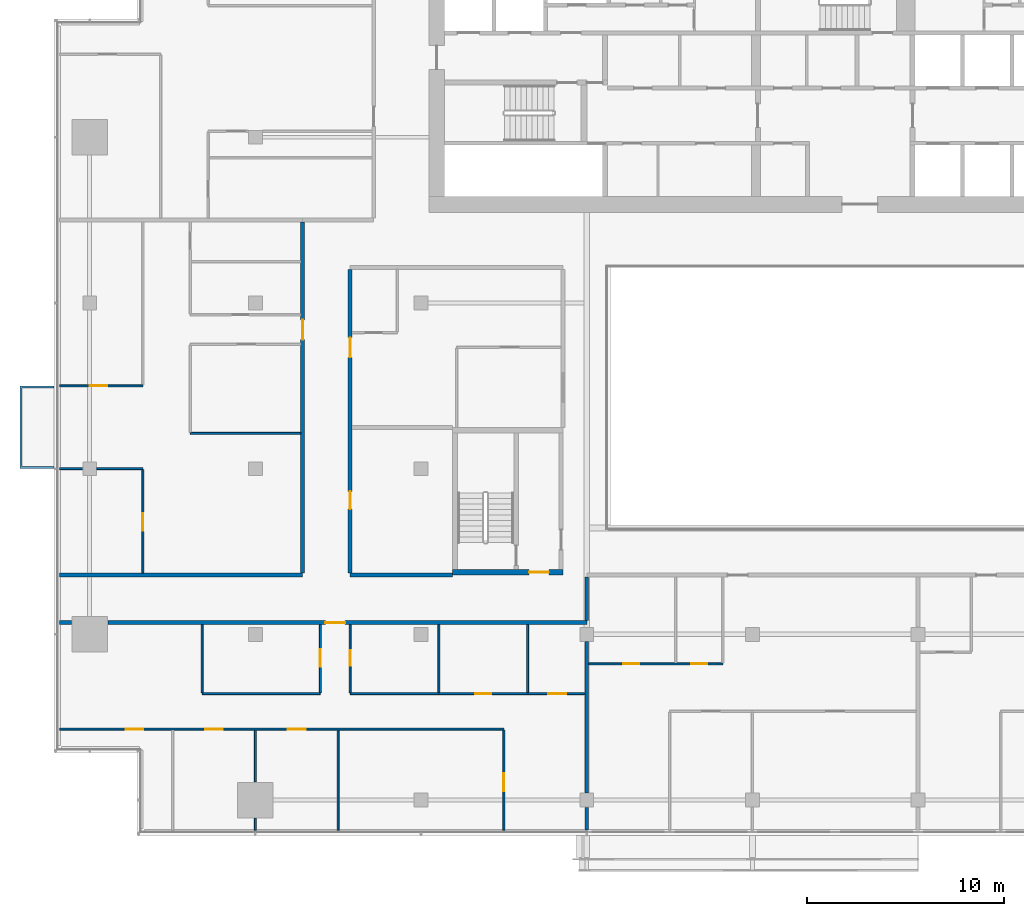
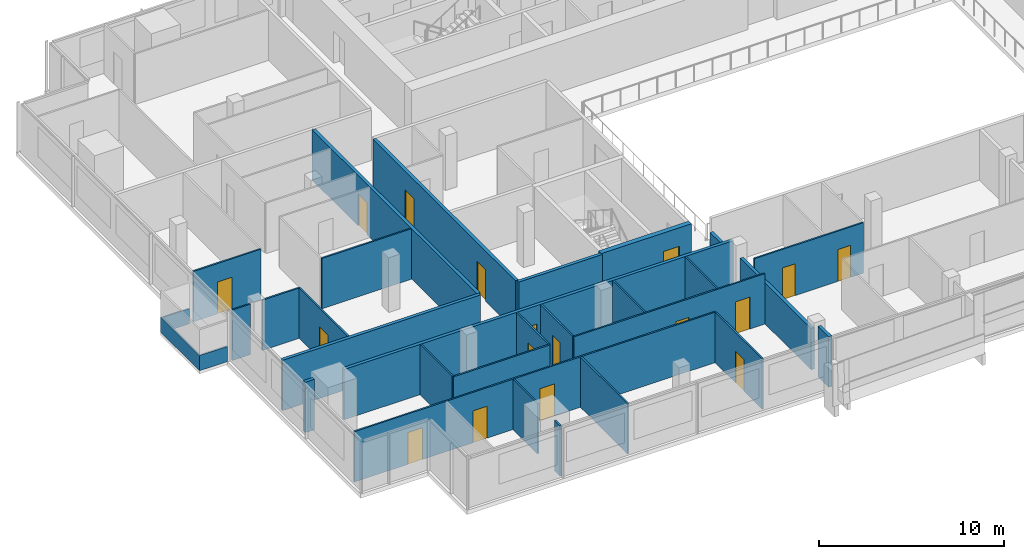
# One storey, part 17 of 27: 29 walls, 17 doors, 17 openings.
"""IFC4 building model written with IfcOpenShell, lengths in metres."""

import ifcopenshell
import ifcopenshell.guid

model = None  # the IFC model being written
_history = None  # IfcOwnerHistory: only IFC2X3 demands one
_inside = {}  # id of a spatial element -> (the spatial element, [elements in it])
_under = {}  # id of a project, library or spatial element -> (it, [spatial elements below it])
_declared = {}  # id of a project -> (the project, [libraries it declares])
_typed = {}  # id of a type object -> (the type object, [elements of that type])
_made_of = {}  # id of a material, layer set ... -> (it, [elements and type objects made of it])


def new_model(schema):
    """Start an empty IFC model of exactly this schema.

    Asked for "IFC4X3", IfcOpenShell would pick the latest addendum, in which some entities
    have other attributes; the version numbers below select the first issue.
    IFC2X3 requires an IfcOwnerHistory on every rooted entity: one is made here for all.
    """
    global model, _history
    if schema == "IFC4X3":
        model = ifcopenshell.file(schema_version=(4, 3, 0, 0))
    else:
        model = ifcopenshell.file(schema=schema)
    _inside.clear()
    _under.clear()
    _declared.clear()
    _typed.clear()
    _made_of.clear()
    _history = None
    if model.schema == "IFC2X3":
        org = make("IfcOrganization", Name="unknown")
        user = make(
            "IfcPersonAndOrganization",
            ThePerson=make("IfcPerson", FamilyName="unknown"),
            TheOrganization=org,
        )
        app = make(
            "IfcApplication",
            ApplicationDeveloper=org,
            Version="unknown",
            ApplicationFullName="unknown",
            ApplicationIdentifier="unknown",
        )
        _history = make(
            "IfcOwnerHistory",
            OwningUser=user,
            OwningApplication=app,
            ChangeAction="ADDED",
            CreationDate=0,
        )
    return model


def make(cls, **values):
    """One entity of the class cls with the attributes given. An attribute that is None is left unset."""
    return model.create_entity(
        cls, **{name: value for name, value in values.items() if value is not None}
    )


def rooted(cls, **values):
    """An entity with a GlobalId (a new one), such as an element, a storey or a relation."""
    return make(cls, GlobalId=ifcopenshell.guid.new(), OwnerHistory=_history, **values)


def si_unit(unit_type, name, prefix=None):
    """IfcSIUnit, for example si_unit("LENGTHUNIT", "METRE", prefix="MILLI")."""
    return make("IfcSIUnit", UnitType=unit_type, Prefix=prefix, Name=name)


def assignment(units):
    """IfcUnitAssignment: the units of a project."""
    return None if units is None else make("IfcUnitAssignment", Units=units)


def point(xyz):
    """IfcCartesianPoint."""
    return None if xyz is None else make("IfcCartesianPoint", Coordinates=xyz)


def direction(xyz):
    """IfcDirection."""
    return None if xyz is None else make("IfcDirection", DirectionRatios=xyz)


def frame(location, z_axis=None, x_axis=None):
    """IfcAxis2Placement3D, a coordinate frame: its origin and axes. An axis left out is left unset."""
    return make(
        "IfcAxis2Placement3D",
        Location=point(location),
        Axis=direction(z_axis),
        RefDirection=direction(x_axis),
    )


def frame_2d(location, x_axis=None):
    """IfcAxis2Placement2D, a coordinate frame in the plane: its origin and x axis."""
    return make(
        "IfcAxis2Placement2D", Location=point(location), RefDirection=direction(x_axis)
    )


def origin():
    """The frame at (0, 0, 0) with its axes left unset."""
    return frame((0.0, 0.0, 0.0))


def place(relative_to, where):
    """IfcLocalPlacement: puts the frame where relative to a parent placement (None: the world)."""
    return make(
        "IfcLocalPlacement", PlacementRelTo=relative_to, RelativePlacement=where
    )


def context(
    kind, dimensions, precision=None, world=None, true_north=None, identifier=None
):
    """IfcGeometricRepresentationContext, for example the 3D "Model" context."""
    return make(
        "IfcGeometricRepresentationContext",
        ContextIdentifier=identifier,
        ContextType=kind,
        CoordinateSpaceDimension=dimensions,
        Precision=precision,
        WorldCoordinateSystem=world,
        TrueNorth=true_north,
    )


def subcontext(parent, identifier, kind, view, scale=None):
    """IfcGeometricRepresentationSubContext, for example "Body" below "Model"."""
    return make(
        "IfcGeometricRepresentationSubContext",
        ContextIdentifier=identifier,
        ContextType=kind,
        ParentContext=parent,
        TargetScale=scale,
        TargetView=view,
    )


def project(units=None, contexts=None):
    """IfcProject with its units and contexts."""
    return rooted(
        "IfcProject",
        Name="project",
        RepresentationContexts=contexts,
        UnitsInContext=assignment(units),
    )


def spatial(cls, under=None, at=None, **own):
    """A site, building, storey or space (cls), placed at a placement, below another one or the project."""
    s = rooted(cls, ObjectPlacement=at, **own)
    if under is not None:
        _under.setdefault(under.id(), (under, []))[1].append(s)
    return s


def polyline(points):
    """IfcPolyline through the points."""
    return make("IfcPolyline", Points=[point(p) for p in points])


def profile(cls, at=None, kind="AREA", **sizes):
    """A parametric profile (cls). Its sizes go by their IFC names, for example OverallWidth=200.0."""
    return make(cls, ProfileType=kind, Position=at, **sizes)


def rectangle(**sizes):
    """IfcRectangleProfileDef."""
    return profile("IfcRectangleProfileDef", **sizes)


def outline(outer, holes=None, kind="AREA"):
    """IfcArbitraryClosedProfileDef: a profile drawn as a closed curve; with holes, ...WithVoids."""
    if holes is None:
        return make("IfcArbitraryClosedProfileDef", ProfileType=kind, OuterCurve=outer)
    return make(
        "IfcArbitraryProfileDefWithVoids",
        ProfileType=kind,
        OuterCurve=outer,
        InnerCurves=holes,
    )


def extrude(swept, where, along, depth):
    """IfcExtrudedAreaSolid: the profile swept, set in the frame where, extruded along a direction by depth."""
    return make(
        "IfcExtrudedAreaSolid",
        SweptArea=swept,
        Position=where,
        ExtrudedDirection=direction(along),
        Depth=depth,
    )


def shape(context_of_items, identifier, shape_type, items):
    """IfcShapeRepresentation: the items that make up one representation, for example the "Body"."""
    return make(
        "IfcShapeRepresentation",
        ContextOfItems=context_of_items,
        RepresentationIdentifier=identifier,
        RepresentationType=shape_type,
        Items=items,
    )


def material(Name=None, Category=None):
    """IfcMaterial."""
    return make("IfcMaterial", Name=Name, Category=Category)


def layer(
    of_material, thickness, ventilated=None, Name=None, Category=None, Priority=None
):
    """IfcMaterialLayer: one layer of a wall or slab, of a material (None: an air gap)."""
    return make(
        "IfcMaterialLayer",
        Material=of_material,
        LayerThickness=thickness,
        IsVentilated=ventilated,
        Name=Name,
        Category=Category,
        Priority=Priority,
    )


def layer_set(layers, Name=None):
    """IfcMaterialLayerSet."""
    return make("IfcMaterialLayerSet", MaterialLayers=layers, LayerSetName=Name)


def made_of(thing, what):
    """Note that an element or type object is made of a material, layer set ...; save() writes the relation."""
    if what is not None:
        _made_of.setdefault(what.id(), (what, []))[1].append(thing)
    return thing


def type_object(cls, material=None, **own):
    """A type object (cls), such as IfcWallType, which elements share."""
    return made_of(rooted(cls, **own), material)


def element(
    cls,
    number,
    at=None,
    inside=None,
    cuts=None,
    type_object=None,
    material=None,
    context=None,
    identifier="Body",
    shape_type=None,
    held_by="IfcProductDefinitionShape",
    body=None,
    shapes=None,
    **own,
):
    """One element of the class cls, such as IfcWall. Its Tag is "e" and its number.

    at: its placement. inside: the storey or other place that contains it. cuts: it is an
    opening in that element (IfcRelVoidsElement). A single representation is given by context,
    identifier, shape_type and body (its items); several are given by shapes. held_by: the class
    of the entity that holds the representations. save() writes the other relations.
    """
    e = rooted(cls, Tag="e%d" % number, ObjectPlacement=at, **own)
    if body is not None:
        shapes = [shape(context, identifier, shape_type, body)]
    if shapes is not None:
        e.Representation = make(held_by, Representations=shapes)
    if inside is not None:
        _inside.setdefault(inside.id(), (inside, []))[1].append(e)
    if cuts is not None:
        rooted(
            "IfcRelVoidsElement", RelatingBuildingElement=cuts, RelatedOpeningElement=e
        )
    if type_object is not None:
        _typed.setdefault(type_object.id(), (type_object, []))[1].append(e)
    return made_of(e, material)


def fill(opening, filler):
    """IfcRelFillsElement: the door or window that sits in an opening."""
    return rooted(
        "IfcRelFillsElement",
        RelatingOpeningElement=opening,
        RelatedBuildingElement=filler,
    )


def aggregate(whole, parts):
    """IfcRelAggregates: a whole, such as a stair, and the parts it consists of."""
    return rooted("IfcRelAggregates", RelatingObject=whole, RelatedObjects=parts)


def save(model, path):
    """Write the relations noted so far, then the file.

    IfcRelAggregates (storeys below a building ...), IfcRelContainedInSpatialStructure (elements
    in a storey), IfcRelDefinesByType, IfcRelAssociatesMaterial and IfcRelDeclares: one each for
    every whole, place, type object, material and project.
    """
    for whole, parts in _under.values():
        aggregate(whole, parts)
    for where, things in _inside.values():
        rooted(
            "IfcRelContainedInSpatialStructure",
            RelatedElements=things,
            RelatingStructure=where,
        )
    for kind, things in _typed.values():
        rooted("IfcRelDefinesByType", RelatedObjects=things, RelatingType=kind)
    for what, things in _made_of.values():
        rooted("IfcRelAssociatesMaterial", RelatedObjects=things, RelatingMaterial=what)
    for by, libraries in _declared.values():
        rooted("IfcRelDeclares", RelatingContext=by, RelatedDefinitions=libraries)
    model.write(path)


model = new_model("IFC4")

# Units and contexts
model_context = context("Model", 3, precision=1e-05, world=origin(), true_north=direction((0.0, 1.0)))
body_context = subcontext(model_context, "Body", "Model", "MODEL_VIEW")
ifc_project = project(units=[si_unit("LENGTHUNIT", "METRE"), si_unit("AREAUNIT", "SQUARE_METRE"), si_unit("VOLUMEUNIT", "CUBIC_METRE"), si_unit("PLANEANGLEUNIT", "RADIAN"), si_unit("MASSUNIT", "GRAM", prefix="KILO")], contexts=[model_context])

# Site, building, storey
site_placement = place(None, origin())
site = spatial("IfcSite", under=ifc_project, at=site_placement, CompositionType="ELEMENT")
building_placement = place(site_placement, origin())
building = spatial("IfcBuilding", under=site, at=building_placement, Name="Saffron Gate Tower", CompositionType="ELEMENT")
storey_placement = place(building_placement, frame((0.0, 0.0, 172.64990234375)))
storey = spatial("IfcBuildingStorey", under=building, at=storey_placement, Name="L42", CompositionType="ELEMENT", Elevation=172.64990234375)

# Wall, opening, door
ifc_material_1 = material(Name="Concrete C60", Category="concrete")
ifc_layer_1 = layer(ifc_material_1, 0.300048828125)
ifc_layer_set_1 = layer_set([ifc_layer_1], Name="CW17 RC core wall 300 C60")
wall_type_1 = type_object("IfcWallType", Name="CW17 RC core wall 300 C60", PredefinedType="SOLIDWALL", material=ifc_layer_set_1)
wall_1_placement = place(storey_placement, frame((68.199951171875, 43.35009765625, 0.0), z_axis=(0.0, 0.0, 1.0), x_axis=(1.0, 0.0, 0.0)))
wall_1 = element("IfcWall", 1, at=wall_1_placement, inside=storey, type_object=wall_type_1, Name="Wall CW17-L42-D-1", PredefinedType="SOLIDWALL", context=body_context, shape_type="SweptSolid", body=[
    extrude(rectangle(XDim=5.60009765625, YDim=0.300048828125, at=frame_2d((2.800048828125, 0.0))), origin(), (0.0, 0.0, 1.0), 3.320068359375),
])
opening_1_placement = place(wall_1_placement, frame((3.875, 0.0, 0.0)))
opening_1 = element("IfcOpeningElement", 2, at=opening_1_placement, cuts=wall_1, Name="Opening CR-18", PredefinedType="OPENING", context=body_context, shape_type="SweptSolid", body=[
    extrude(rectangle(XDim=1.0, YDim=2.10009765625, at=frame_2d((0.5, 1.050048828125))), frame((0.0, 0.16015625, 0.0), z_axis=(0.0, -1.0, 0.0), x_axis=(1.0, 0.0, 0.0)), (0.0, 0.0, 1.0), 0.320068359375),
])
ifc_material_2 = material(Name="Steel fire door set", Category="steel")
door_type_1 = type_object("IfcDoorType", Name="CD4 Lobby door 1000x2100 EI 120", OperationType="NOTDEFINED", PredefinedType="DOOR", material=ifc_material_2)
door_1_placement = place(opening_1_placement, origin())
door_1 = element("IfcDoor", 3, at=door_1_placement, inside=storey, type_object=door_type_1, Name="DOOR CR-18", OperationType="SINGLE_SWING_RIGHT", OverallHeight=2.10009765625, OverallWidth=1.0, PredefinedType="DOOR", context=body_context, shape_type="SweptSolid", body=[
    extrude(rectangle(XDim=1.0, YDim=2.10009765625, at=frame_2d((0.5, 1.050048828125))), frame((0.0, 0.02490234375, 0.0), z_axis=(0.0, -1.0, 0.0), x_axis=(1.0, 0.0, 0.0)), (0.0, 0.0, 1.0), 0.050048828125),
])
fill(opening_1, door_1)

# Wall, openings, doors
ifc_material_3 = material(Name="Plasterboard on steel studs", Category="steel")
ifc_layer_2 = layer(ifc_material_3, 0.10009765625)
ifc_layer_set_2 = layer_set([ifc_layer_2], Name="PW1 Partition 100")
wall_type_2 = type_object("IfcWallType", Name="PW1 Partition 100", PredefinedType="PARTITIONING", material=ifc_layer_set_2)
wall_2_placement = place(storey_placement, frame((70.800048828125, 35.39990234375, 0.0), z_axis=(0.0, 0.0, 1.0), x_axis=(-1.0, 0.0, 0.0)))
wall_2 = element("IfcWall", 4, at=wall_2_placement, inside=storey, type_object=wall_type_2, Name="Partition C3-2", PredefinedType="PARTITIONING", context=body_context, shape_type="SweptSolid", body=[
    extrude(rectangle(XDim=22.52001953125, YDim=0.10009765625, at=frame_2d((11.260009765625, 0.0))), origin(), (0.0, 0.0, 1.0), 3.320068359375),
])
opening_2_placement = place(wall_2_placement, frame((10.050048828125, 0.0, 0.0)))
opening_2 = element("IfcOpeningElement", 5, at=opening_2_placement, cuts=wall_2, Name="Opening C3-13", PredefinedType="OPENING", context=body_context, shape_type="SweptSolid", body=[
    extrude(rectangle(XDim=0.89990234375, YDim=2.10009765625, at=frame_2d((0.449951171875, 1.050048828125))), frame((0.0, 0.06005859375, 0.0), z_axis=(0.0, -1.0, 0.0), x_axis=(1.0, 0.0, 0.0)), (0.0, 0.0, 1.0), 0.1201171875),
])
opening_3_placement = place(wall_2_placement, frame((14.25, 0.0, 0.0)))
opening_3 = element("IfcOpeningElement", 6, at=opening_3_placement, cuts=wall_2, Name="Opening C3-12", PredefinedType="OPENING", context=body_context, shape_type="SweptSolid", body=[
    extrude(rectangle(XDim=0.89990234375, YDim=2.10009765625, at=frame_2d((0.449951171875, 1.050048828125))), frame((0.0, 0.06005859375, 0.0), z_axis=(0.0, -1.0, 0.0), x_axis=(1.0, 0.0, 0.0)), (0.0, 0.0, 1.0), 0.1201171875),
])
opening_4_placement = place(wall_2_placement, frame((18.2744140625, 0.0, 0.0)))
opening_4 = element("IfcOpeningElement", 7, at=opening_4_placement, cuts=wall_2, Name="Opening C3-11", PredefinedType="OPENING", context=body_context, shape_type="SweptSolid", body=[
    extrude(rectangle(XDim=0.89990234375, YDim=2.10009765625, at=frame_2d((0.449951171875, 1.050048828125))), frame((0.0, 0.06005859375, 0.0), z_axis=(0.0, -1.0, 0.0), x_axis=(1.0, 0.0, 0.0)), (0.0, 0.0, 1.0), 0.1201171875),
])
ifc_material_4 = material(Name="Timber door set", Category="wood")
door_type_2 = type_object("IfcDoorType", Name="RD1 Room door 900x2100", OperationType="NOTDEFINED", PredefinedType="DOOR", material=ifc_material_4)
door_2_placement = place(opening_2_placement, origin())
door_2 = element("IfcDoor", 8, at=door_2_placement, inside=storey, type_object=door_type_2, Name="Door C3-13", OperationType="SINGLE_SWING_RIGHT", OverallHeight=2.10009765625, OverallWidth=0.89990234375, PredefinedType="DOOR", context=body_context, shape_type="SweptSolid", body=[
    extrude(rectangle(XDim=0.89990234375, YDim=2.10009765625, at=frame_2d((0.449951171875, 1.050048828125))), frame((0.0, 0.02490234375, 0.0), z_axis=(0.0, -1.0, 0.0), x_axis=(1.0, 0.0, 0.0)), (0.0, 0.0, 1.0), 0.050048828125),
])
fill(opening_2, door_2)
door_3_placement = place(opening_3_placement, origin())
door_3 = element("IfcDoor", 9, at=door_3_placement, inside=storey, type_object=door_type_2, Name="Door C3-12", OperationType="SINGLE_SWING_RIGHT", OverallHeight=2.10009765625, OverallWidth=0.89990234375, PredefinedType="DOOR", context=body_context, shape_type="SweptSolid", body=[
    extrude(rectangle(XDim=0.89990234375, YDim=2.10009765625, at=frame_2d((0.449951171875, 1.050048828125))), frame((0.0, 0.02490234375, 0.0), z_axis=(0.0, -1.0, 0.0), x_axis=(1.0, 0.0, 0.0)), (0.0, 0.0, 1.0), 0.050048828125),
])
fill(opening_3, door_3)
door_4_placement = place(opening_4_placement, origin())
door_4 = element("IfcDoor", 10, at=door_4_placement, inside=storey, type_object=door_type_2, Name="Door C3-11", OperationType="SINGLE_SWING_LEFT", OverallHeight=2.10009765625, OverallWidth=0.89990234375, PredefinedType="DOOR", context=body_context, shape_type="SweptSolid", body=[
    extrude(rectangle(XDim=0.89990234375, YDim=2.10009765625, at=frame_2d((0.449951171875, 1.050048828125))), frame((0.0, 0.02490234375, 0.0), z_axis=(0.0, -1.0, 0.0), x_axis=(1.0, 0.0, 0.0)), (0.0, 0.0, 1.0), 0.050048828125),
])
fill(opening_4, door_4)

# Wall
wall_3_placement = place(storey_placement, frame((55.5, 37.199951171875, 0.0), z_axis=(0.0, 0.0, 1.0), x_axis=(1.0, 0.0, 0.0)))
element("IfcWall", 11, at=wall_3_placement, inside=storey, type_object=wall_type_2, Name="Partition C3-5", PredefinedType="PARTITIONING", context=body_context, shape_type="SweptSolid", body=[
    extrude(rectangle(XDim=6.0, YDim=0.10009765625, at=frame_2d((3.0, 0.0))), origin(), (0.0, 0.0, 1.0), 3.320068359375),
])

# Wall, openings, doors
wall_4_placement = place(storey_placement, frame((63.0, 37.199951171875, 0.0), z_axis=(0.0, 0.0, 1.0), x_axis=(1.0, 0.0, 0.0)))
wall_4 = element("IfcWall", 12, at=wall_4_placement, inside=storey, type_object=wall_type_2, Name="Partition C3-6", PredefinedType="PARTITIONING", context=body_context, shape_type="SweptSolid", body=[
    extrude(rectangle(XDim=11.89990234375, YDim=0.10009765625, at=frame_2d((5.949951171875, 0.0))), origin(), (0.0, 0.0, 1.0), 3.320068359375),
])
opening_5_placement = place(wall_4_placement, frame((6.35009765625, 0.0, 0.0)))
opening_5 = element("IfcOpeningElement", 13, at=opening_5_placement, cuts=wall_4, Name="Opening C3-41", PredefinedType="OPENING", context=body_context, shape_type="SweptSolid", body=[
    extrude(rectangle(XDim=0.800048828125, YDim=2.10009765625, at=frame_2d((0.39990234375, 1.050048828125))), frame((0.0, 0.06005859375, 0.0), z_axis=(0.0, -1.0, 0.0), x_axis=(1.0, 0.0, 0.0)), (0.0, 0.0, 1.0), 0.1201171875),
])
opening_6_placement = place(wall_4_placement, frame((10.050048828125, 0.0, 0.0)))
opening_6 = element("IfcOpeningElement", 14, at=opening_6_placement, cuts=wall_4, Name="Opening C3-16", PredefinedType="OPENING", context=body_context, shape_type="SweptSolid", body=[
    extrude(rectangle(XDim=0.89990234375, YDim=2.10009765625, at=frame_2d((0.449951171875, 1.050048828125))), frame((0.0, 0.06005859375, 0.0), z_axis=(0.0, -1.0, 0.0), x_axis=(1.0, 0.0, 0.0)), (0.0, 0.0, 1.0), 0.1201171875),
])
door_5_placement = place(opening_6_placement, origin())
door_5 = element("IfcDoor", 15, at=door_5_placement, inside=storey, type_object=door_type_2, Name="Door C3-16", OperationType="SINGLE_SWING_RIGHT", OverallHeight=2.10009765625, OverallWidth=0.89990234375, PredefinedType="DOOR", context=body_context, shape_type="SweptSolid", body=[
    extrude(rectangle(XDim=0.89990234375, YDim=2.10009765625, at=frame_2d((0.449951171875, 1.050048828125))), frame((0.0, 0.02490234375, 0.0), z_axis=(0.0, -1.0, 0.0), x_axis=(1.0, 0.0, 0.0)), (0.0, 0.0, 1.0), 0.050048828125),
])
fill(opening_6, door_5)
door_type_3 = type_object("IfcDoorType", Name="RD2 Bathroom door 800x2100", OperationType="NOTDEFINED", PredefinedType="DOOR", material=ifc_material_4)
door_6_placement = place(opening_5_placement, origin())
door_6 = element("IfcDoor", 16, at=door_6_placement, inside=storey, type_object=door_type_3, Name="Door C3-41", OperationType="SINGLE_SWING_LEFT", OverallHeight=2.10009765625, OverallWidth=0.800048828125, PredefinedType="DOOR", context=body_context, shape_type="SweptSolid", body=[
    extrude(rectangle(XDim=0.800048828125, YDim=2.10009765625, at=frame_2d((0.39990234375, 1.050048828125))), frame((0.0, 0.02490234375, 0.0), z_axis=(0.0, -1.0, 0.0), x_axis=(1.0, 0.0, 0.0)), (0.0, 0.0, 1.0), 0.050048828125),
])
fill(opening_5, door_6)

wall_5_placement = place(storey_placement, frame((75.10009765625, 38.699951171875, 0.0), z_axis=(0.0, 0.0, 1.0), x_axis=(1.0, 0.0, 0.0)))
wall_5 = element("IfcWall", 17, at=wall_5_placement, inside=storey, type_object=wall_type_2, Name="Partition C3-7", PredefinedType="PARTITIONING", context=body_context, shape_type="SweptSolid", body=[
    extrude(rectangle(XDim=6.7998046875, YDim=0.10009765625, at=frame_2d((3.39990234375, 0.0))), origin(), (0.0, 0.0, 1.0), 3.320068359375),
])
opening_7_placement = place(wall_5_placement, frame((1.75, 0.0, 0.0)))
opening_7 = element("IfcOpeningElement", 18, at=opening_7_placement, cuts=wall_5, Name="Opening C3-42", PredefinedType="OPENING", context=body_context, shape_type="SweptSolid", body=[
    extrude(rectangle(XDim=0.800048828125, YDim=2.10009765625, at=frame_2d((0.39990234375, 1.050048828125))), frame((0.0, 0.06005859375, 0.0), z_axis=(0.0, -1.0, 0.0), x_axis=(1.0, 0.0, 0.0)), (0.0, 0.0, 1.0), 0.1201171875),
])
opening_8_placement = place(wall_5_placement, frame((5.199951171875, 0.0, 0.0)))
opening_8 = element("IfcOpeningElement", 19, at=opening_8_placement, cuts=wall_5, Name="Opening C3-43", PredefinedType="OPENING", context=body_context, shape_type="SweptSolid", body=[
    extrude(rectangle(XDim=0.800048828125, YDim=2.10009765625, at=frame_2d((0.39990234375, 1.050048828125))), frame((0.0, 0.06005859375, 0.0), z_axis=(0.0, -1.0, 0.0), x_axis=(1.0, 0.0, 0.0)), (0.0, 0.0, 1.0), 0.1201171875),
])
door_7_placement = place(opening_7_placement, origin())
door_7 = element("IfcDoor", 20, at=door_7_placement, inside=storey, type_object=door_type_3, Name="Door C3-42", OperationType="SINGLE_SWING_LEFT", OverallHeight=2.10009765625, OverallWidth=0.800048828125, PredefinedType="DOOR", context=body_context, shape_type="SweptSolid", body=[
    extrude(rectangle(XDim=0.800048828125, YDim=2.10009765625, at=frame_2d((0.39990234375, 1.050048828125))), frame((0.0, 0.02490234375, 0.0), z_axis=(0.0, -1.0, 0.0), x_axis=(1.0, 0.0, 0.0)), (0.0, 0.0, 1.0), 0.050048828125),
])
fill(opening_7, door_7)
door_8_placement = place(opening_8_placement, origin())
door_8 = element("IfcDoor", 21, at=door_8_placement, inside=storey, type_object=door_type_3, Name="Door C3-43", OperationType="SINGLE_SWING_RIGHT", OverallHeight=2.10009765625, OverallWidth=0.800048828125, PredefinedType="DOOR", context=body_context, shape_type="SweptSolid", body=[
    extrude(rectangle(XDim=0.800048828125, YDim=2.10009765625, at=frame_2d((0.39990234375, 1.050048828125))), frame((0.0, 0.02490234375, 0.0), z_axis=(0.0, -1.0, 0.0), x_axis=(1.0, 0.0, 0.0)), (0.0, 0.0, 1.0), 0.050048828125),
])
fill(opening_8, door_8)

# Walls
wall_6_placement = place(storey_placement, frame((48.280029296875, 48.60009765625, 0.0), z_axis=(0.0, 0.0, 1.0), x_axis=(1.0, 0.0, 0.0)))
element("IfcWall", 22, at=wall_6_placement, inside=storey, type_object=wall_type_2, Name="Partition C3-21", PredefinedType="PARTITIONING", context=body_context, shape_type="SweptSolid", body=[
    extrude(rectangle(XDim=1.14990234375, YDim=0.10009765625, at=frame_2d((0.574951171875, 0.0))), origin(), (0.0, 0.0, 1.0), 3.320068359375),
])
wall_7_placement = place(storey_placement, frame((50.169921875, 48.60009765625, 0.0), z_axis=(0.0, 0.0, 1.0), x_axis=(1.0, 0.0, 0.0)))
element("IfcWall", 23, at=wall_7_placement, inside=storey, type_object=wall_type_2, Name="Partition C3-22", PredefinedType="PARTITIONING", context=body_context, shape_type="SweptSolid", body=[
    extrude(rectangle(XDim=2.330078125, YDim=0.10009765625, at=frame_2d((1.1650390625, 0.0))), origin(), (0.0, 0.0, 1.0), 3.320068359375),
])
wall_8_placement = place(storey_placement, frame((54.89990234375, 50.39306640625, 0.0), z_axis=(0.0, 0.0, 1.0), x_axis=(1.0, 0.0, 0.0)))
element("IfcWall", 24, at=wall_8_placement, inside=storey, type_object=wall_type_2, Name="Partition C3-25", PredefinedType="PARTITIONING", context=body_context, shape_type="SweptSolid", body=[
    extrude(rectangle(XDim=5.60009765625, YDim=0.10009765625, at=frame_2d((2.800048828125, 0.0))), origin(), (0.0, 0.0, 1.0), 3.320068359375),
])

# Wall, opening, door
wall_9_placement = place(storey_placement, frame((48.280029296875, 52.800048828125, 0.0), z_axis=(0.0, 0.0, 1.0), x_axis=(1.0, 0.0, 0.0)))
wall_9 = element("IfcWall", 25, at=wall_9_placement, inside=storey, type_object=wall_type_2, Name="Partition C3-28", PredefinedType="PARTITIONING", context=body_context, shape_type="SweptSolid", body=[
    extrude(rectangle(XDim=4.219970703125, YDim=0.10009765625, at=frame_2d((2.10986328125, 0.0))), origin(), (0.0, 0.0, 1.0), 3.320068359375),
])
opening_9_placement = place(wall_9_placement, frame((1.52001953125, 0.0, 0.0)))
opening_9 = element("IfcOpeningElement", 26, at=opening_9_placement, cuts=wall_9, Name="Opening C3-27", PredefinedType="OPENING", context=body_context, shape_type="SweptSolid", body=[
    extrude(rectangle(XDim=0.89990234375, YDim=2.10009765625, at=frame_2d((0.449951171875, 1.050048828125))), frame((0.0, 0.06005859375, 0.0), z_axis=(0.0, -1.0, 0.0), x_axis=(1.0, 0.0, 0.0)), (0.0, 0.0, 1.0), 0.1201171875),
])
door_9_placement = place(opening_9_placement, origin())
door_9 = element("IfcDoor", 27, at=door_9_placement, inside=storey, type_object=door_type_2, Name="Door C3-27", OperationType="SINGLE_SWING_LEFT", OverallHeight=2.10009765625, OverallWidth=0.89990234375, PredefinedType="DOOR", context=body_context, shape_type="SweptSolid", body=[
    extrude(rectangle(XDim=0.89990234375, YDim=2.10009765625, at=frame_2d((0.449951171875, 1.050048828125))), frame((0.0, 0.02490234375, 0.0), z_axis=(0.0, -1.0, 0.0), x_axis=(1.0, 0.0, 0.0)), (0.0, 0.0, 1.0), 0.050048828125),
])
fill(opening_9, door_9)

wall_10_placement = place(storey_placement, frame((52.5, 43.300048828125, 0.0), z_axis=(0.0, 0.0, 1.0), x_axis=(0.0, 1.0, 0.0)))
wall_10 = element("IfcWall", 28, at=wall_10_placement, inside=storey, type_object=wall_type_2, Name="Partition C3-57", PredefinedType="PARTITIONING", context=body_context, shape_type="SweptSolid", body=[
    extrude(rectangle(XDim=5.25, YDim=0.10009765625, at=frame_2d((2.625, 0.0))), origin(), (0.0, 0.0, 1.0), 3.320068359375),
])
opening_10_placement = place(wall_10_placement, frame((2.14990234375, 0.0, 0.0)))
opening_10 = element("IfcOpeningElement", 29, at=opening_10_placement, cuts=wall_10, Name="Opening C3-26", PredefinedType="OPENING", context=body_context, shape_type="SweptSolid", body=[
    extrude(rectangle(XDim=0.89990234375, YDim=2.10009765625, at=frame_2d((0.449951171875, 1.050048828125))), frame((0.0, 0.06005859375, 0.0), z_axis=(0.0, -1.0, 0.0), x_axis=(1.0, 0.0, 0.0)), (0.0, 0.0, 1.0), 0.1201171875),
])
door_10_placement = place(opening_10_placement, origin())
door_10 = element("IfcDoor", 30, at=door_10_placement, inside=storey, type_object=door_type_2, Name="Door C3-26", OperationType="SINGLE_SWING_LEFT", OverallHeight=2.10009765625, OverallWidth=0.89990234375, PredefinedType="DOOR", context=body_context, shape_type="SweptSolid", body=[
    extrude(rectangle(XDim=0.89990234375, YDim=2.10009765625, at=frame_2d((0.449951171875, 1.050048828125))), frame((0.0, 0.02490234375, 0.0), z_axis=(0.0, -1.0, 0.0), x_axis=(1.0, 0.0, 0.0)), (0.0, 0.0, 1.0), 0.050048828125),
])
fill(opening_10, door_10)

# Walls
wall_11_placement = place(storey_placement, frame((55.5, 40.699951171875, 0.0), z_axis=(0.0, 0.0, 1.0), x_axis=(0.0, -1.0, 0.0)))
element("IfcWall", 31, at=wall_11_placement, inside=storey, type_object=wall_type_2, Name="Partition C3-63", PredefinedType="PARTITIONING", context=body_context, shape_type="SweptSolid", body=[
    extrude(rectangle(XDim=3.449951171875, YDim=0.10009765625, at=frame_2d((1.72509765625, 0.0))), origin(), (0.0, 0.0, 1.0), 3.320068359375),
])
wall_12_placement = place(storey_placement, frame((58.199951171875, 30.8798828125, 0.0), z_axis=(0.0, 0.0, 1.0), x_axis=(0.0, -1.0, 0.0)))
element("IfcWall", 32, at=wall_12_placement, inside=storey, type_object=wall_type_2, Name="Partition C3-66", PredefinedType="PARTITIONING", context=body_context, shape_type="SweptSolid", body=[
    extrude(rectangle(XDim=0.599853515625, YDim=0.10009765625, at=frame_2d((0.2998046875, 0.0))), origin(), (0.0, 0.0, 1.0), 3.320068359375),
])
wall_13_placement = place(storey_placement, frame((58.199951171875, 35.35009765625, 0.0), z_axis=(0.0, 0.0, 1.0), x_axis=(0.0, -1.0, 0.0)))
element("IfcWall", 33, at=wall_13_placement, inside=storey, type_object=wall_type_2, Name="Partition C3-67", PredefinedType="PARTITIONING", context=body_context, shape_type="SweptSolid", body=[
    extrude(rectangle(XDim=2.630126953125, YDim=0.10009765625, at=frame_2d((1.31494140625, 0.0))), origin(), (0.0, 0.0, 1.0), 3.320068359375),
])

# Wall, opening, door
wall_14_placement = place(storey_placement, frame((61.5, 37.25, 0.0), z_axis=(0.0, 0.0, 1.0), x_axis=(0.0, 1.0, 0.0)))
wall_14 = element("IfcWall", 34, at=wall_14_placement, inside=storey, type_object=wall_type_2, Name="Partition C3-69", PredefinedType="PARTITIONING", context=body_context, shape_type="SweptSolid", body=[
    extrude(rectangle(XDim=3.449951171875, YDim=0.10009765625, at=frame_2d((1.72509765625, 0.0))), origin(), (0.0, 0.0, 1.0), 3.320068359375),
])
opening_11_placement = place(wall_14_placement, frame((1.300048828125, 0.0, 0.0)))
opening_11 = element("IfcOpeningElement", 35, at=opening_11_placement, cuts=wall_14, Name="Opening C3-15", PredefinedType="OPENING", context=body_context, shape_type="SweptSolid", body=[
    extrude(rectangle(XDim=0.89990234375, YDim=2.10009765625, at=frame_2d((0.449951171875, 1.050048828125))), frame((0.0, 0.06005859375, 0.0), z_axis=(0.0, -1.0, 0.0), x_axis=(1.0, 0.0, 0.0)), (0.0, 0.0, 1.0), 0.1201171875),
])
door_11_placement = place(opening_11_placement, origin())
door_11 = element("IfcDoor", 36, at=door_11_placement, inside=storey, type_object=door_type_2, Name="Door C3-15", OperationType="SINGLE_SWING_RIGHT", OverallHeight=2.10009765625, OverallWidth=0.89990234375, PredefinedType="DOOR", context=body_context, shape_type="SweptSolid", body=[
    extrude(rectangle(XDim=0.89990234375, YDim=2.10009765625, at=frame_2d((0.449951171875, 1.050048828125))), frame((0.0, 0.02490234375, 0.0), z_axis=(0.0, -1.0, 0.0), x_axis=(1.0, 0.0, 0.0)), (0.0, 0.0, 1.0), 0.050048828125),
])
fill(opening_11, door_11)

# Wall
wall_15_placement = place(storey_placement, frame((62.39990234375, 35.35009765625, 0.0), z_axis=(0.0, 0.0, 1.0), x_axis=(0.0, -1.0, 0.0)))
element("IfcWall", 37, at=wall_15_placement, inside=storey, type_object=wall_type_2, Name="Partition C3-70", PredefinedType="PARTITIONING", context=body_context, shape_type="SweptSolid", body=[
    extrude(rectangle(XDim=5.070068359375, YDim=0.10009765625, at=frame_2d((2.53515625, 0.0))), origin(), (0.0, 0.0, 1.0), 3.320068359375),
])

# Wall, opening, door
wall_16_placement = place(storey_placement, frame((63.0, 40.699951171875, 0.0), z_axis=(0.0, 0.0, 1.0), x_axis=(0.0, -1.0, 0.0)))
wall_16 = element("IfcWall", 38, at=wall_16_placement, inside=storey, type_object=wall_type_2, Name="Partition C3-72", PredefinedType="PARTITIONING", context=body_context, shape_type="SweptSolid", body=[
    extrude(rectangle(XDim=3.449951171875, YDim=0.10009765625, at=frame_2d((1.72509765625, 0.0))), origin(), (0.0, 0.0, 1.0), 3.320068359375),
])
opening_12_placement = place(wall_16_placement, frame((1.300048828125, 0.0, 0.0)))
opening_12 = element("IfcOpeningElement", 39, at=opening_12_placement, cuts=wall_16, Name="Opening C3-40", PredefinedType="OPENING", context=body_context, shape_type="SweptSolid", body=[
    extrude(rectangle(XDim=0.800048828125, YDim=2.10009765625, at=frame_2d((0.39990234375, 1.050048828125))), frame((0.0, 0.06005859375, 0.0), z_axis=(0.0, -1.0, 0.0), x_axis=(1.0, 0.0, 0.0)), (0.0, 0.0, 1.0), 0.1201171875),
])
door_12_placement = place(opening_12_placement, origin())
door_12 = element("IfcDoor", 40, at=door_12_placement, inside=storey, type_object=door_type_3, Name="Door C3-40", OperationType="SINGLE_SWING_LEFT", OverallHeight=2.10009765625, OverallWidth=0.800048828125, PredefinedType="DOOR", context=body_context, shape_type="SweptSolid", body=[
    extrude(rectangle(XDim=0.800048828125, YDim=2.10009765625, at=frame_2d((0.39990234375, 1.050048828125))), frame((0.0, 0.02490234375, 0.0), z_axis=(0.0, -1.0, 0.0), x_axis=(1.0, 0.0, 0.0)), (0.0, 0.0, 1.0), 0.050048828125),
])
fill(opening_12, door_12)

# Wall
wall_17_placement = place(storey_placement, frame((67.5, 40.699951171875, 0.0), z_axis=(0.0, 0.0, 1.0), x_axis=(0.0, -1.0, 0.0)))
element("IfcWall", 41, at=wall_17_placement, inside=storey, type_object=wall_type_2, Name="Partition C3-75", PredefinedType="PARTITIONING", context=body_context, shape_type="SweptSolid", body=[
    extrude(rectangle(XDim=3.449951171875, YDim=0.10009765625, at=frame_2d((1.72509765625, 0.0))), origin(), (0.0, 0.0, 1.0), 3.320068359375),
])

# Wall, opening, door
wall_18_placement = place(storey_placement, frame((70.800048828125, 30.280029296875, 0.0), z_axis=(0.0, 0.0, 1.0), x_axis=(0.0, 1.0, 0.0)))
wall_18 = element("IfcWall", 42, at=wall_18_placement, inside=storey, type_object=wall_type_2, Name="Partition C3-77", PredefinedType="PARTITIONING", context=body_context, shape_type="SweptSolid", body=[
    extrude(rectangle(XDim=5.070068359375, YDim=0.10009765625, at=frame_2d((2.53515625, 0.0))), origin(), (0.0, 0.0, 1.0), 3.320068359375),
])
opening_13_placement = place(wall_18_placement, frame((1.969970703125, 0.0, 0.0)))
opening_13 = element("IfcOpeningElement", 43, at=opening_13_placement, cuts=wall_18, Name="Opening C3-14", PredefinedType="OPENING", context=body_context, shape_type="SweptSolid", body=[
    extrude(rectangle(XDim=0.89990234375, YDim=2.10009765625, at=frame_2d((0.449951171875, 1.050048828125))), frame((0.0, 0.06005859375, 0.0), z_axis=(0.0, -1.0, 0.0), x_axis=(1.0, 0.0, 0.0)), (0.0, 0.0, 1.0), 0.1201171875),
])
door_13_placement = place(opening_13_placement, origin())
door_13 = element("IfcDoor", 44, at=door_13_placement, inside=storey, type_object=door_type_2, Name="Door C3-14", OperationType="SINGLE_SWING_LEFT", OverallHeight=2.10009765625, OverallWidth=0.89990234375, PredefinedType="DOOR", context=body_context, shape_type="SweptSolid", body=[
    extrude(rectangle(XDim=0.89990234375, YDim=2.10009765625, at=frame_2d((0.449951171875, 1.050048828125))), frame((0.0, 0.02490234375, 0.0), z_axis=(0.0, -1.0, 0.0), x_axis=(1.0, 0.0, 0.0)), (0.0, 0.0, 1.0), 0.050048828125),
])
fill(opening_13, door_13)

# Walls
wall_19_placement = place(storey_placement, frame((72.0, 40.699951171875, 0.0), z_axis=(0.0, 0.0, 1.0), x_axis=(0.0, -1.0, 0.0)))
element("IfcWall", 45, at=wall_19_placement, inside=storey, type_object=wall_type_2, Name="Partition C3-78", PredefinedType="PARTITIONING", context=body_context, shape_type="SweptSolid", body=[
    extrude(rectangle(XDim=3.449951171875, YDim=0.10009765625, at=frame_2d((1.72509765625, 0.0))), origin(), (0.0, 0.0, 1.0), 3.320068359375),
])
ifc_material_5 = material(Name="Clay brick masonry, rendered", Category="masonry")
ifc_layer_3 = layer(ifc_material_5, 0.199951171875)
ifc_layer_set_3 = layer_set([ifc_layer_3], Name="PW2 Demising wall 200")
wall_type_3 = type_object("IfcWallType", Name="PW2 Demising wall 200", PredefinedType="PARTITIONING", material=ifc_layer_set_3)
wall_20_placement = place(storey_placement, frame((75.0, 31.429931640625, 0.0), z_axis=(0.0, 0.0, 1.0), x_axis=(0.0, -1.0, 0.0)))
element("IfcWall", 46, at=wall_20_placement, inside=storey, type_object=wall_type_3, Name="Wall C3-81", PredefinedType="PARTITIONING", context=body_context, shape_type="SweptSolid", body=[
    extrude(rectangle(XDim=1.14990234375, YDim=0.199951171875, at=frame_2d((0.574951171875, 0.0))), origin(), (0.0, 0.0, 1.0), 3.320068359375),
])
wall_21_placement = place(storey_placement, frame((75.0, 39.830078125, 0.0), z_axis=(0.0, 0.0, 1.0), x_axis=(0.0, -1.0, 0.0)))
element("IfcWall", 47, at=wall_21_placement, inside=storey, type_object=wall_type_3, Name="Wall C3-82", PredefinedType="PARTITIONING", context=body_context, shape_type="SweptSolid", body=[
    extrude(rectangle(XDim=7.66015625, YDim=0.199951171875, at=frame_2d((3.830078125, 0.0))), origin(), (0.0, 0.0, 1.0), 2.72021484375),
])
ifc_layer_4 = layer(ifc_material_5, 0.199951171875)
ifc_layer_set_4 = layer_set([ifc_layer_4], Name="PW3 Corridor wall 200")
wall_type_4 = type_object("IfcWallType", Name="PW3 Corridor wall 200", PredefinedType="PARTITIONING", material=ifc_layer_set_4)
wall_22_placement = place(storey_placement, frame((48.280029296875, 40.800048828125, 0.0), z_axis=(0.0, 0.0, 1.0), x_axis=(1.0, 0.0, 0.0)))
element("IfcWall", 48, at=wall_22_placement, inside=storey, type_object=wall_type_4, Name="Wall C3-9", PredefinedType="PARTITIONING", context=body_context, shape_type="SweptSolid", body=[
    extrude(rectangle(XDim=0.599853515625, YDim=0.199951171875, at=frame_2d((0.2998046875, 0.0))), origin(), (0.0, 0.0, 1.0), 3.320068359375),
])

# Wall, opening, door
wall_23_placement = place(storey_placement, frame((75.0, 40.800048828125, 0.0), z_axis=(0.0, 0.0, 1.0), x_axis=(-1.0, 0.0, 0.0)))
wall_23 = element("IfcWall", 49, at=wall_23_placement, inside=storey, type_object=wall_type_4, Name="Wall C3-10", PredefinedType="PARTITIONING", context=body_context, shape_type="SweptSolid", body=[
    extrude(rectangle(XDim=24.280029296875, YDim=0.199951171875, at=frame_2d((12.14013671875, 0.0))), origin(), (0.0, 0.0, 1.0), 3.320068359375),
])
opening_14_placement = place(wall_23_placement, frame((12.25, 0.0, 0.0)))
opening_14 = element("IfcOpeningElement", 50, at=opening_14_placement, cuts=wall_23, Name="Opening C3-1", PredefinedType="OPENING", context=body_context, shape_type="SweptSolid", body=[
    extrude(rectangle(XDim=1.0, YDim=2.10009765625, at=frame_2d((0.5, 1.050048828125))), frame((0.0, 0.10986328125, 0.0), z_axis=(0.0, -1.0, 0.0), x_axis=(1.0, 0.0, 0.0)), (0.0, 0.0, 1.0), 0.219970703125),
])
ifc_material_6 = material(Name="Timber fire door set", Category="wood")
door_type_4 = type_object("IfcDoorType", Name="FD1 Flat entry door 1000x2100", OperationType="NOTDEFINED", PredefinedType="DOOR", material=ifc_material_6)
door_14_placement = place(opening_14_placement, origin())
door_14 = element("IfcDoor", 51, at=door_14_placement, inside=storey, type_object=door_type_4, Name="Door C3-1", OperationType="SINGLE_SWING_LEFT", OverallHeight=2.10009765625, OverallWidth=1.0, PredefinedType="DOOR", context=body_context, shape_type="SweptSolid", body=[
    extrude(rectangle(XDim=1.0, YDim=2.10009765625, at=frame_2d((0.5, 1.050048828125))), frame((0.0, 0.02490234375, 0.0), z_axis=(0.0, -1.0, 0.0), x_axis=(1.0, 0.0, 0.0)), (0.0, 0.0, 1.0), 0.050048828125),
])
fill(opening_14, door_14)

# Walls
wall_24_placement = place(storey_placement, frame((48.280029296875, 43.199951171875, 0.0), z_axis=(0.0, 0.0, 1.0), x_axis=(1.0, 0.0, 0.0)))
element("IfcWall", 52, at=wall_24_placement, inside=storey, type_object=wall_type_4, Name="Wall C3-13", PredefinedType="PARTITIONING", context=body_context, shape_type="SweptSolid", body=[
    extrude(rectangle(XDim=12.320068359375, YDim=0.199951171875, at=frame_2d((6.16015625, 0.0))), origin(), (0.0, 0.0, 1.0), 3.320068359375),
])
wall_25_placement = place(storey_placement, frame((63.0, 43.199951171875, 0.0), z_axis=(0.0, 0.0, 1.0), x_axis=(1.0, 0.0, 0.0)))
element("IfcWall", 53, at=wall_25_placement, inside=storey, type_object=wall_type_4, Name="Wall C3-14", PredefinedType="PARTITIONING", context=body_context, shape_type="SweptSolid", body=[
    extrude(rectangle(XDim=5.199951171875, YDim=0.199951171875, at=frame_2d((2.60009765625, 0.0))), origin(), (0.0, 0.0, 1.0), 3.320068359375),
])

# Wall, opening, door
wall_26_placement = place(storey_placement, frame((60.60009765625, 43.300048828125, 0.0), z_axis=(0.0, 0.0, 1.0), x_axis=(0.0, 1.0, 0.0)))
wall_26 = element("IfcWall", 54, at=wall_26_placement, inside=storey, type_object=wall_type_4, Name="Wall C3-68", PredefinedType="PARTITIONING", context=body_context, shape_type="SweptSolid", body=[
    extrude(rectangle(XDim=17.800048828125, YDim=0.199951171875, at=frame_2d((8.89990234375, 0.0))), origin(), (0.0, 0.0, 1.0), 3.320068359375),
])
opening_15_placement = place(wall_26_placement, frame((11.85009765625, 0.0, 0.0)))
opening_15 = element("IfcOpeningElement", 55, at=opening_15_placement, cuts=wall_26, Name="Opening C3-5", PredefinedType="OPENING", context=body_context, shape_type="SweptSolid", body=[
    extrude(rectangle(XDim=1.0, YDim=2.10009765625, at=frame_2d((0.5, 1.050048828125))), frame((0.0, 0.10986328125, 0.0), z_axis=(0.0, -1.0, 0.0), x_axis=(1.0, 0.0, 0.0)), (0.0, 0.0, 1.0), 0.219970703125),
])
door_15_placement = place(opening_15_placement, origin())
door_15 = element("IfcDoor", 56, at=door_15_placement, inside=storey, type_object=door_type_4, Name="Door C3-5", OperationType="SINGLE_SWING_RIGHT", OverallHeight=2.10009765625, OverallWidth=1.0, PredefinedType="DOOR", context=body_context, shape_type="SweptSolid", body=[
    extrude(rectangle(XDim=1.0, YDim=2.10009765625, at=frame_2d((0.5, 1.050048828125))), frame((0.0, 0.02490234375, 0.0), z_axis=(0.0, -1.0, 0.0), x_axis=(1.0, 0.0, 0.0)), (0.0, 0.0, 1.0), 0.050048828125),
])
fill(opening_15, door_15)

# Wall, openings, doors
wall_27_placement = place(storey_placement, frame((63.0, 58.699951171875, 0.0), z_axis=(0.0, 0.0, 1.0), x_axis=(0.0, -1.0, 0.0)))
wall_27 = element("IfcWall", 57, at=wall_27_placement, inside=storey, type_object=wall_type_4, Name="Wall C3-71", PredefinedType="PARTITIONING", context=body_context, shape_type="SweptSolid", body=[
    extrude(rectangle(XDim=15.39990234375, YDim=0.199951171875, at=frame_2d((7.699951171875, 0.0))), origin(), (0.0, 0.0, 1.0), 3.320068359375),
])
opening_16_placement = place(wall_27_placement, frame((3.449951171875, 0.0, 0.0)))
opening_16 = element("IfcOpeningElement", 58, at=opening_16_placement, cuts=wall_27, Name="Opening C3-9", PredefinedType="OPENING", context=body_context, shape_type="SweptSolid", body=[
    extrude(rectangle(XDim=1.0, YDim=2.10009765625, at=frame_2d((0.5, 1.050048828125))), frame((0.0, 0.10986328125, 0.0), z_axis=(0.0, -1.0, 0.0), x_axis=(1.0, 0.0, 0.0)), (0.0, 0.0, 1.0), 0.219970703125),
])
opening_17_placement = place(wall_27_placement, frame((11.25, 0.0, 0.0)))
opening_17 = element("IfcOpeningElement", 59, at=opening_17_placement, cuts=wall_27, Name="Opening C3-56", PredefinedType="OPENING", context=body_context, shape_type="SweptSolid", body=[
    extrude(rectangle(XDim=0.89990234375, YDim=2.10009765625, at=frame_2d((0.449951171875, 1.050048828125))), frame((0.0, 0.10986328125, 0.0), z_axis=(0.0, -1.0, 0.0), x_axis=(1.0, 0.0, 0.0)), (0.0, 0.0, 1.0), 0.219970703125),
])
door_16_placement = place(opening_16_placement, origin())
door_16 = element("IfcDoor", 60, at=door_16_placement, inside=storey, type_object=door_type_4, Name="Door C3-9", OperationType="SINGLE_SWING_LEFT", OverallHeight=2.10009765625, OverallWidth=1.0, PredefinedType="DOOR", context=body_context, shape_type="SweptSolid", body=[
    extrude(rectangle(XDim=1.0, YDim=2.10009765625, at=frame_2d((0.5, 1.050048828125))), frame((0.0, 0.02490234375, 0.0), z_axis=(0.0, -1.0, 0.0), x_axis=(1.0, 0.0, 0.0)), (0.0, 0.0, 1.0), 0.050048828125),
])
fill(opening_16, door_16)
door_type_5 = type_object("IfcDoorType", Name="SD1 Service door 900x2100", OperationType="NOTDEFINED", PredefinedType="DOOR", material=ifc_material_2)
door_17_placement = place(opening_17_placement, origin())
door_17 = element("IfcDoor", 61, at=door_17_placement, inside=storey, type_object=door_type_5, Name="Door C3-56", OperationType="SINGLE_SWING_RIGHT", OverallHeight=2.10009765625, OverallWidth=0.89990234375, PredefinedType="DOOR", context=body_context, shape_type="SweptSolid", body=[
    extrude(rectangle(XDim=0.89990234375, YDim=2.10009765625, at=frame_2d((0.449951171875, 1.050048828125))), frame((0.0, 0.02490234375, 0.0), z_axis=(0.0, -1.0, 0.0), x_axis=(1.0, 0.0, 0.0)), (0.0, 0.0, 1.0), 0.050048828125),
])
fill(opening_17, door_17)

# Walls
wall_28_placement = place(storey_placement, frame((75.0, 43.10009765625, 0.0), z_axis=(0.0, 0.0, 1.0), x_axis=(0.0, -1.0, 0.0)))
element("IfcWall", 62, at=wall_28_placement, inside=storey, type_object=wall_type_4, Name="Wall C3-80", PredefinedType="PARTITIONING", context=body_context, shape_type="SweptSolid", body=[
    extrude(rectangle(XDim=2.2001953125, YDim=0.199951171875, at=frame_2d((1.10009765625, 0.0))), origin(), (0.0, 0.0, 1.0), 2.43017578125),
])
ifc_material_7 = material(Name="Rendered insulated panel, white")
ifc_layer_5 = layer(ifc_material_7, 0.10009765625)
ifc_layer_set_5 = layer_set([ifc_layer_5], Name="WB3 box parapet white")
wall_type_5 = type_object("IfcWallType", Name="WB3 box parapet white", PredefinedType="SOLIDWALL", material=ifc_layer_set_5)
wall_29_placement = place(storey_placement, origin())
element("IfcWall", 63, at=wall_29_placement, inside=storey, type_object=wall_type_5, Name="WINDOW BOX parapet", PredefinedType="SOLIDWALL", context=body_context, shape_type="SweptSolid", body=[
    extrude(outline(polyline([(48.0, 52.800048828125), (48.0, 52.699951171875), (46.366943359375, 52.699951171875), (46.366943359375, 48.699951171875), (48.0, 48.699951171875), (48.0, 48.60009765625), (46.26708984375, 48.60009765625), (46.26708984375, 52.800048828125), (48.0, 52.800048828125)])), origin(), (0.0, 0.0, 1.0), 1.0),
])

save(model, "model.ifc")
